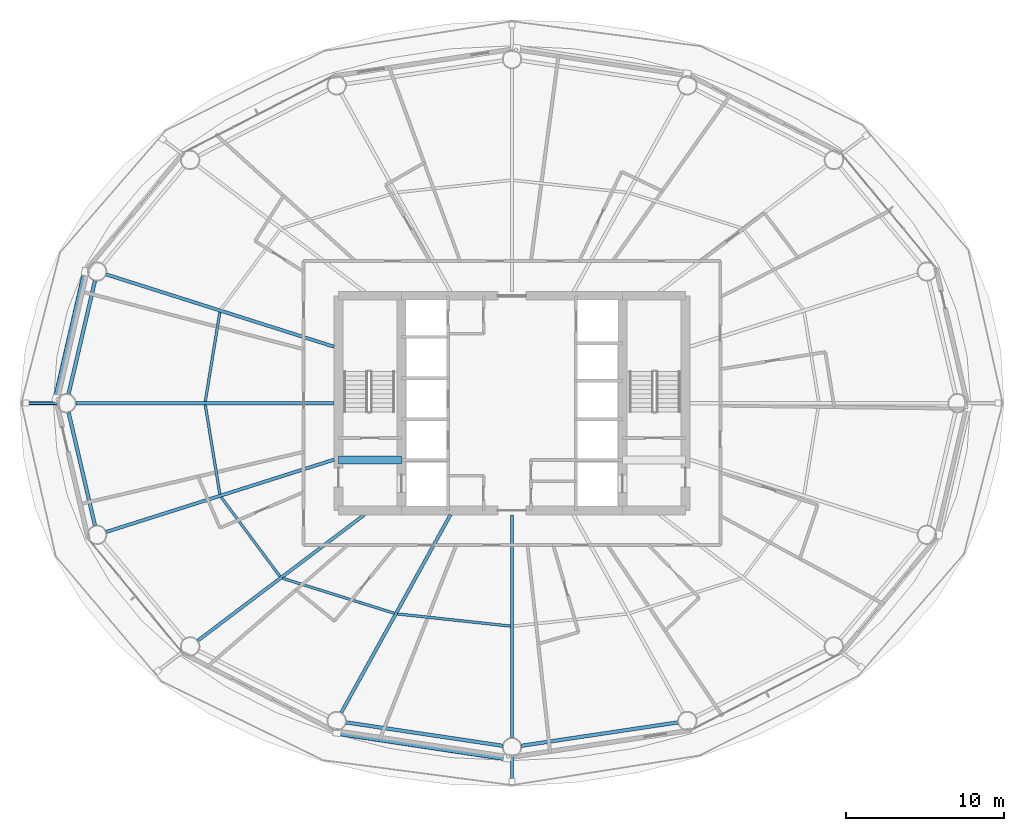
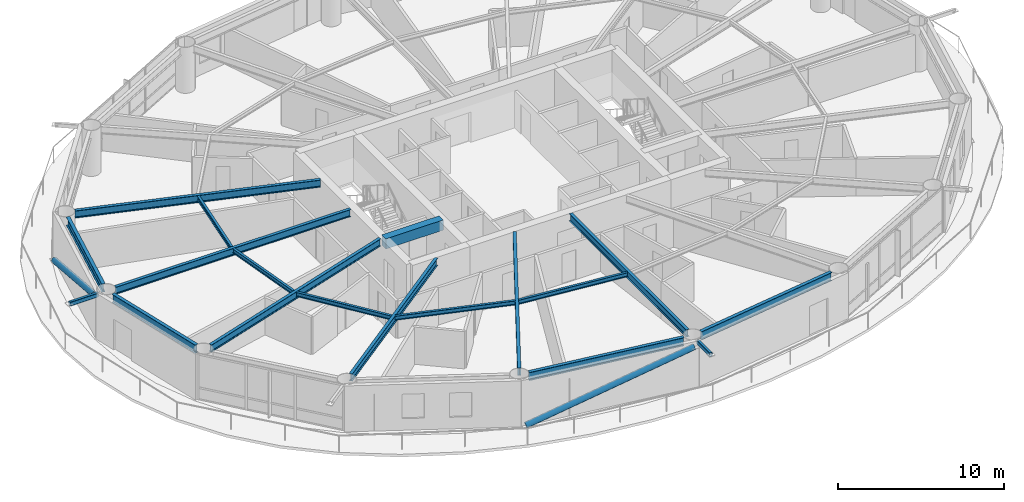
# One storey, part 3 of 24: 16 beams, 4 members.
"""IFC4 building model written with IfcOpenShell, lengths in metres."""

from ifc_helpers import new_model, si_unit, direction, frame, origin, origin_2d, place, context, subcontext, project, spatial, rectangle, hollow_rectangle, hollow_circle, i_section, extrude, material, material_profile, profile_set, type_object, element, save


model = new_model("IFC4")

# Units and contexts
model_context = context("Model", 3, precision=1e-05, world=origin(), true_north=direction((0.0, 1.0)))
body_context = subcontext(model_context, "Body", "Model", "MODEL_VIEW")
ifc_project = project(units=[si_unit("LENGTHUNIT", "METRE"), si_unit("AREAUNIT", "SQUARE_METRE"), si_unit("VOLUMEUNIT", "CUBIC_METRE"), si_unit("PLANEANGLEUNIT", "RADIAN"), si_unit("MASSUNIT", "GRAM", prefix="KILO")], contexts=[model_context])

# Site, building, storey
site_placement = place(None, origin())
site = spatial("IfcSite", under=ifc_project, at=site_placement, CompositionType="ELEMENT")
building_placement = place(site_placement, origin())
building = spatial("IfcBuilding", under=site, at=building_placement, Name="Sarneth Arch Tower", CompositionType="ELEMENT")
storey_placement = place(building_placement, frame((0.0, 0.0, 105.60009765625)))
storey = spatial("IfcBuildingStorey", under=building, at=storey_placement, Name="L26", CompositionType="ELEMENT", Elevation=105.60009765625)

# Beams
ifc_material_1 = material(Name="Steel S355", Category="steel")
ifc_material_profile_1 = material_profile(ifc_material_1, i_section(OverallWidth=0.1669921875, OverallDepth=0.31689453125, WebThickness=0.007568359375, FlangeThickness=0.01318359375, FilletRadius=0.012939453125, at=origin_2d()), Name="W310x52")
ifc_profile_set_1 = profile_set([ifc_material_profile_1], Name="Steel S355")
beam_type_1 = type_object("IfcBeamType", Name="BM-JOIST-310B", PredefinedType="JOIST", material=ifc_profile_set_1)
for number, where, z_axis, x_axis, name in (
    (1, (29.48583984375, 47.76513671875, 3.221435546875), (-0.16118181609, -0.986924729735, 0.0), (0.986924729735, -0.16118181609, 0.0), "L26 Secondary floor joist 08"),
    (2, (28.561279296875, 41.89599609375, 3.221435546875), (0.16118181609, -0.986924729735, 0.0), (0.986924729735, 0.16118181609, 0.0), "L26 Secondary floor joist 09"),
):
    element("IfcBeam", number, at=place(storey_placement, frame(where, z_axis=z_axis, x_axis=x_axis)), inside=storey, type_object=beam_type_1, Name=name, PredefinedType="JOIST", context=body_context, shape_type="SweptSolid", body=[
        extrude(i_section(OverallWidth=0.1669921875, OverallDepth=0.31689453125, WebThickness=0.007568359375, FlangeThickness=0.01318359375, FilletRadius=0.012939453125, at=origin_2d()), origin(), (0.0, 0.0, 1.0), 5.736083984375),
    ])
beam_1_placement = place(storey_placement, frame((29.565673828125, 36.0458984375, 3.221435546875), z_axis=(0.596098474255, -0.802911333206, 0.0), x_axis=(0.802911333206, 0.596098474255, 0.0)))
element("IfcBeam", 3, at=beam_1_placement, inside=storey, type_object=beam_type_1, Name="L26 Secondary floor joist 10", PredefinedType="JOIST", context=body_context, shape_type="SweptSolid", body=[
    extrude(i_section(OverallWidth=0.1669921875, OverallDepth=0.31689453125, WebThickness=0.007568359375, FlangeThickness=0.01318359375, FilletRadius=0.012939453125, at=origin_2d()), origin(), (0.0, 0.0, 1.0), 6.259033203125),
])
beam_2_placement = place(storey_placement, frame((33.460205078125, 30.904296875, 3.221435546875), z_axis=(0.954245982384, -0.299022750146, 0.0), x_axis=(0.299022750146, 0.954245982384, 0.0)))
element("IfcBeam", 4, at=beam_2_placement, inside=storey, type_object=beam_type_1, Name="L26 Secondary floor joist 11", PredefinedType="JOIST", context=body_context, shape_type="SweptSolid", body=[
    extrude(i_section(OverallWidth=0.1669921875, OverallDepth=0.31689453125, WebThickness=0.007568359375, FlangeThickness=0.01318359375, FilletRadius=0.012939453125, at=origin_2d()), origin(), (0.0, 0.0, 1.0), 7.416748046875),
])
beam_3_placement = place(storey_placement, frame((40.7431640625, 28.6435546875, 3.221435546875), z_axis=(0.994257420028, -0.107014871487, 0.0), x_axis=(0.107014871487, 0.994257420028, 0.0)))
element("IfcBeam", 5, at=beam_3_placement, inside=storey, type_object=beam_type_1, Name="L26 Secondary floor joist 12", PredefinedType="JOIST", context=body_context, shape_type="SweptSolid", body=[
    extrude(i_section(OverallWidth=0.1669921875, OverallDepth=0.31689453125, WebThickness=0.007568359375, FlangeThickness=0.01318359375, FilletRadius=0.012939453125, at=origin_2d()), origin(), (0.0, 0.0, 1.0), 7.193115234375),
])
ifc_material_2 = material(Name="Concrete C50/60", Category="concrete")
ifc_material_profile_2 = material_profile(ifc_material_2, rectangle(XDim=0.5, YDim=0.75, at=origin_2d()), Name="RC-500x750")
ifc_profile_set_2 = profile_set([ifc_material_profile_2], Name="Concrete C50/60")
beam_type_2 = type_object("IfcBeamType", Name="BM-LINTEL-RC", PredefinedType="LINTEL", material=ifc_profile_set_2)
beam_4_placement = place(storey_placement, frame((37.0, 38.39990234375, 3.0048828125), z_axis=(1.0, 0.0, 0.0), x_axis=(0.0, 1.0, 0.0)))
element("IfcBeam", 6, at=beam_4_placement, inside=storey, type_object=beam_type_2, Name="L26 Core coupling lintel W", PredefinedType="LINTEL", context=body_context, shape_type="SweptSolid", body=[
    extrude(rectangle(XDim=0.5, YDim=0.75, at=origin_2d()), origin(), (0.0, 0.0, 1.0), 4.0),
])
ifc_material_3 = material(Name="Steel S355", Category="steel")
ifc_material_profile_3 = material_profile(ifc_material_3, i_section(OverallWidth=0.2109375, OverallDepth=0.5390625, WebThickness=0.01171875, FlangeThickness=0.018798828125, FilletRadius=0.01806640625, at=origin_2d()), Name="W530x109")
ifc_profile_set_3 = profile_set([ifc_material_profile_3], Name="Steel S355")
beam_type_3 = type_object("IfcBeamType", Name="BM-RAD-530B", PredefinedType="BEAM", material=ifc_profile_set_3)
beam_5_placement = place(storey_placement, frame((36.72509765625, 45.57763671875, 3.1103515625), z_axis=(-0.953162461637, 0.302458793435, 0.0), x_axis=(-0.302458793435, -0.953162461637, 0.0)))
element("IfcBeam", 7, at=beam_5_placement, inside=storey, type_object=beam_type_3, Name="L26 Radial floor girder 08", PredefinedType="BEAM", context=body_context, shape_type="SweptSolid", body=[
    extrude(i_section(OverallWidth=0.2109375, OverallDepth=0.5390625, WebThickness=0.01171875, FlangeThickness=0.018798828125, FilletRadius=0.01806640625, at=origin_2d()), origin(), (0.0, 0.0, 1.0), 15.154052734375),
])
beam_6_placement = place(storey_placement, frame((36.72509765625, 42.0, 3.1103515625), z_axis=(-1.0, 0.0, 0.0), x_axis=(0.0, -1.0, 0.0)))
element("IfcBeam", 8, at=beam_6_placement, inside=storey, type_object=beam_type_3, Name="L26 Radial floor girder 09", PredefinedType="BEAM", context=body_context, shape_type="SweptSolid", body=[
    extrude(i_section(OverallWidth=0.2109375, OverallDepth=0.5390625, WebThickness=0.01171875, FlangeThickness=0.018798828125, FilletRadius=0.01806640625, at=origin_2d()), origin(), (0.0, 0.0, 1.0), 16.36181640625),
])
beam_7_placement = place(storey_placement, frame((36.72509765625, 38.42236328125, 3.1103515625), z_axis=(-0.953162461637, -0.302458793435, 0.0), x_axis=(0.302458793435, -0.953162461637, 0.0)))
element("IfcBeam", 9, at=beam_7_placement, inside=storey, type_object=beam_type_3, Name="L26 Radial floor girder 10", PredefinedType="BEAM", context=body_context, shape_type="SweptSolid", body=[
    extrude(i_section(OverallWidth=0.2109375, OverallDepth=0.5390625, WebThickness=0.01171875, FlangeThickness=0.018798828125, FilletRadius=0.01806640625, at=origin_2d()), origin(), (0.0, 0.0, 1.0), 15.154052734375),
])
beam_8_placement = place(storey_placement, frame((38.63818359375, 34.925048828125, 3.1103515625), z_axis=(-0.797802835234, -0.602918432371, 0.0), x_axis=(0.602918432371, -0.797802835234, 0.0)))
element("IfcBeam", 10, at=beam_8_placement, inside=storey, type_object=beam_type_3, Name="L26 Radial floor girder 11", PredefinedType="BEAM", context=body_context, shape_type="SweptSolid", body=[
    extrude(i_section(OverallWidth=0.2109375, OverallDepth=0.5390625, WebThickness=0.01171875, FlangeThickness=0.018798828125, FilletRadius=0.01806640625, at=origin_2d()), origin(), (0.0, 0.0, 1.0), 13.232666015625),
])
beam_9_placement = place(storey_placement, frame((44.09716796875, 34.925048828125, 3.1103515625), z_axis=(-0.483021011336, -0.875608761153, 0.0), x_axis=(0.875608761153, -0.483021011336, 0.0)))
element("IfcBeam", 11, at=beam_9_placement, inside=storey, type_object=beam_type_3, Name="L26 Radial floor girder 12", PredefinedType="BEAM", context=body_context, shape_type="SweptSolid", body=[
    extrude(i_section(OverallWidth=0.2109375, OverallDepth=0.5390625, WebThickness=0.01171875, FlangeThickness=0.018798828125, FilletRadius=0.01806640625, at=origin_2d()), origin(), (0.0, 0.0, 1.0), 14.32177734375),
])
beam_10_placement = place(storey_placement, frame((48.0, 34.925048828125, 3.1103515625), z_axis=(0.0, -1.0, 0.0), x_axis=(1.0, 0.0, 0.0)))
element("IfcBeam", 12, at=beam_10_placement, inside=storey, type_object=beam_type_3, Name="L26 Radial floor girder 13", PredefinedType="BEAM", context=body_context, shape_type="SweptSolid", body=[
    extrude(i_section(OverallWidth=0.2109375, OverallDepth=0.5390625, WebThickness=0.01171875, FlangeThickness=0.018798828125, FilletRadius=0.01806640625, at=origin_2d()), origin(), (0.0, 0.0, 1.0), 14.125),
])
ifc_material_4 = material(Name="Steel S355", Category="steel")
ifc_material_profile_4 = material_profile(ifc_material_4, i_section(OverallWidth=0.22900390625, OverallDepth=0.612060546875, WebThickness=0.011962890625, FlangeThickness=0.01953125, FilletRadius=0.01904296875, at=origin_2d()), Name="W610x125")
ifc_profile_set_4 = profile_set([ifc_material_profile_4], Name="Steel S355")
beam_type_4 = type_object("IfcBeamType", Name="BM-SPAN-610C", PredefinedType="SPANDREL", material=ifc_profile_set_4)
for number, where, z_axis, x_axis, name in (
    (13, (21.572509765625, 49.75830078125, 3.073974609375), (-0.227088175252, -0.973874201661, 0.0), (0.973874201661, -0.227088175252, 0.0), "L26 Perimeter spandrel beam 08"),
    (14, (19.899658203125, 41.415771484375, 3.073974609375), (0.227088175252, -0.973874201661, 0.0), (0.973874201661, 0.227088175252, 0.0), "L26 Perimeter spandrel beam 09"),
):
    element("IfcBeam", number, at=place(storey_placement, frame(where, z_axis=z_axis, x_axis=x_axis)), inside=storey, type_object=beam_type_4, Name=name, PredefinedType="SPANDREL", context=body_context, shape_type="SweptSolid", body=[
        extrude(i_section(OverallWidth=0.22900390625, OverallDepth=0.612060546875, WebThickness=0.011962890625, FlangeThickness=0.01953125, FilletRadius=0.01904296875, at=origin_2d()), origin(), (0.0, 0.0, 1.0), 7.366455078125),
    ])
for number, where, z_axis, x_axis, name in (
    (15, (37.483154296875, 21.770751953125, 3.073974609375), (0.989028613319, -0.147724073992, 0.0), (0.147724073992, 0.989028613319, 0.0), "L26 Perimeter spandrel beam 12"),
    (16, (48.593505859375, 20.28857421875, 3.073974609375), (0.989028613319, 0.147724073992, 0.0), (-0.147724073992, 0.989028613319, 0.0), "L26 Perimeter spandrel beam 13"),
):
    element("IfcBeam", number, at=place(storey_placement, frame(where, z_axis=z_axis, x_axis=x_axis)), inside=storey, type_object=beam_type_4, Name=name, PredefinedType="SPANDREL", context=body_context, shape_type="SweptSolid", body=[
        extrude(i_section(OverallWidth=0.22900390625, OverallDepth=0.612060546875, WebThickness=0.011962890625, FlangeThickness=0.01953125, FilletRadius=0.01904296875, at=origin_2d()), origin(), (0.0, 0.0, 1.0), 10.033447265625),
    ])

# Members
ifc_material_5 = material(Name="Steel S355", Category="steel")
ifc_material_profile_5 = material_profile(ifc_material_5, hollow_rectangle(XDim=0.199951171875, YDim=0.300048828125, WallThickness=0.012451171875, InnerFilletRadius=0.018798828125, OuterFilletRadius=0.03125, at=origin_2d()), Name="RHS300x200x12.5")
ifc_profile_set_5 = profile_set([ifc_material_profile_5], Name="Steel S355")
member_type_1 = type_object("IfcMemberType", Name="MEM-CANT-STRUT", PredefinedType="STRUT", material=ifc_profile_set_5)
member_1_placement = place(storey_placement, frame((19.163330078125, 42.0, 3.219970703125), z_axis=(-1.0, 0.0, 0.0), x_axis=(0.0, -1.0, 0.0)))
element("IfcMember", 17, at=member_1_placement, inside=storey, type_object=member_type_1, Name="L26 Balcony cantilever bracket 09", PredefinedType="STRUT", context=body_context, shape_type="SweptSolid", body=[
    extrude(hollow_rectangle(XDim=0.199951171875, YDim=0.300048828125, WallThickness=0.012451171875, InnerFilletRadius=0.018798828125, OuterFilletRadius=0.03125, at=origin_2d()), origin(), (0.0, 0.0, 1.0), 1.97265625),
])
member_2_placement = place(storey_placement, frame((48.0, 19.60009765625, 3.219970703125), z_axis=(0.0, -1.0, 0.0), x_axis=(1.0, 0.0, 0.0)))
element("IfcMember", 18, at=member_2_placement, inside=storey, type_object=member_type_1, Name="L26 Balcony cantilever bracket 13", PredefinedType="STRUT", context=body_context, shape_type="SweptSolid", body=[
    extrude(hollow_rectangle(XDim=0.199951171875, YDim=0.300048828125, WallThickness=0.012451171875, InnerFilletRadius=0.018798828125, OuterFilletRadius=0.03125, at=origin_2d()), origin(), (0.0, 0.0, 1.0), 1.577392578125),
])
ifc_material_6 = material(Name="Steel S355", Category="steel")
ifc_material_profile_6 = material_profile(ifc_material_6, hollow_circle(Radius=0.202880859375, WallThickness=0.01611328125, at=origin_2d()), Name="CHS406x16")
ifc_profile_set_6 = profile_set([ifc_material_profile_6], Name="Steel S355")
member_type_2 = type_object("IfcMemberType", Name="MEM-DIAG-BR2", PredefinedType="BRACE", material=ifc_profile_set_6)
member_3_placement = place(storey_placement, frame((20.98046875, 50.32958984375, 0.02001953125), z_axis=(-0.211851767223, -0.915872886243, 0.341021531532), x_axis=(0.974275349464, -0.225360918143, 0.0)))
element("IfcMember", 19, at=member_3_placement, inside=storey, type_object=member_type_2, Name="L26 Perimeter frame diagonal 08", PredefinedType="BRACE", context=body_context, shape_type="SweptSolid", body=[
    extrude(hollow_circle(Radius=0.202880859375, WallThickness=0.01611328125, at=origin_2d()), origin(), (0.0, 0.0, 1.0), 8.775634765625),
])
member_4_placement = place(storey_placement, frame((36.9072265625, 21.140380859375, 0.02001953125), z_axis=(0.95367294778, -0.14360842494, 0.264356821282), x_axis=(0.148905755657, 0.988851392239, 0.0)))
element("IfcMember", 20, at=member_4_placement, inside=storey, type_object=member_type_2, Name="L26 Perimeter frame diagonal 12", PredefinedType="BRACE", context=body_context, shape_type="SweptSolid", body=[
    extrude(hollow_circle(Radius=0.202880859375, WallThickness=0.01611328125, at=origin_2d()), origin(), (0.0, 0.0, 1.0), 11.320556640625),
])

save(model, "model.ifc")
